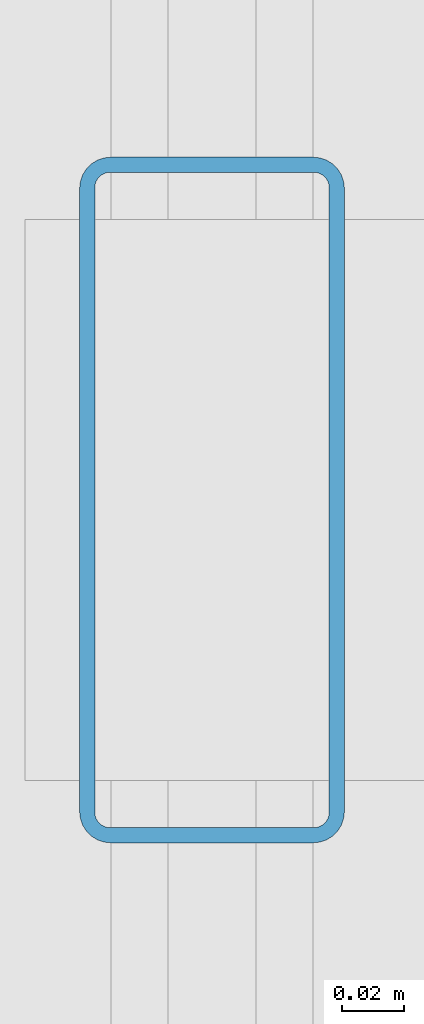
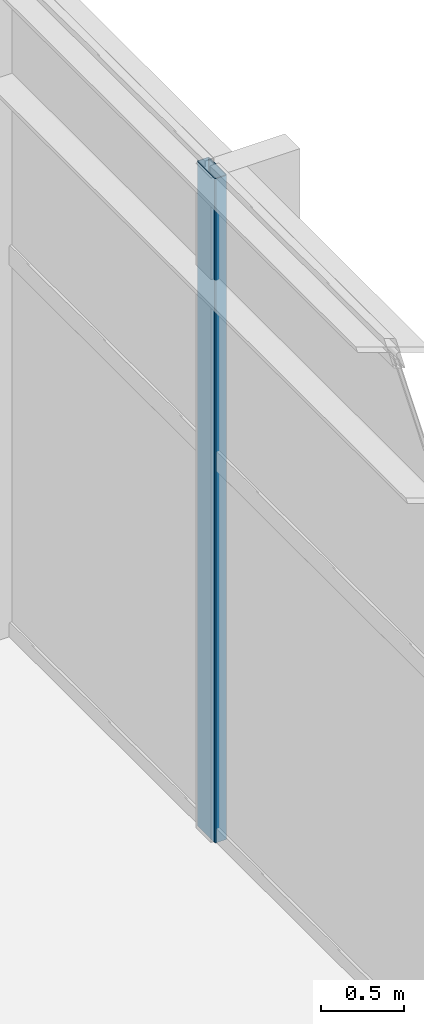
# One storey, part 11 of 31: 1 member, 1 element without a shape of its own.
"""IFC4 building model written with IfcOpenShell, lengths in metres."""

from ifc_helpers import new_model, si_unit, direction, frame, origin, origin_2d, place, context, subcontext, project, spatial, hollow_rectangle, extrude, material, layer, layer_set, material_profile, profile_set, type_object, element, aggregate, save


model = new_model("IFC4")

# Units and contexts
model_context = context("Model", 3, precision=1e-05, world=origin(), true_north=direction((0.0, 1.0)))
body_context = subcontext(model_context, "Body", "Model", "MODEL_VIEW")
ifc_project = project(units=[si_unit("LENGTHUNIT", "METRE"), si_unit("AREAUNIT", "SQUARE_METRE"), si_unit("VOLUMEUNIT", "CUBIC_METRE"), si_unit("PLANEANGLEUNIT", "RADIAN"), si_unit("MASSUNIT", "GRAM", prefix="KILO")], contexts=[model_context])

# Site, building, storey
site_placement = place(None, origin())
site = spatial("IfcSite", under=ifc_project, at=site_placement, CompositionType="ELEMENT")
building_placement = place(site_placement, origin())
building = spatial("IfcBuilding", under=site, at=building_placement, Name="Solvaryn Broadcast Tower", CompositionType="ELEMENT")
storey_placement = place(building_placement, frame((0.0, 0.0, 11.0)))
storey = spatial("IfcBuildingStorey", under=building, at=storey_placement, Name="L02", CompositionType="ELEMENT", Elevation=11.0)

# Curtain wall, member
ifc_material_1 = material(Name="Aluminium and Terracotta Unitised Curtain Wall", Category="masonry")
ifc_layer = layer(ifc_material_1, 0.219970703125)
ifc_layer_set = layer_set([ifc_layer], Name="CW-SYS1-PODIUM")
curtain_wall_type = type_object("IfcCurtainWallType", Name="CW-SYS1-PODIUM", PredefinedType="NOTDEFINED", material=ifc_layer_set)
curtain_wall_placement = place(storey_placement, origin())
curtain_wall = element("IfcCurtainWall", 1, at=curtain_wall_placement, inside=storey, type_object=curtain_wall_type, Name="L02 Podium Curtain Wall E2", PredefinedType="NOTDEFINED")
ifc_material_2 = material(Name="Anodised Aluminium 6063-T6", Category="aluminium")
ifc_material_profile = material_profile(ifc_material_2, hollow_rectangle(XDim=0.0849609375, YDim=0.219970703125, WallThickness=0.0048828125, InnerFilletRadius=0.0048828125, OuterFilletRadius=0.010009765625, at=origin_2d()))
ifc_profile_set = profile_set([ifc_material_profile], Name="Anodised Aluminium 6063-T6")
member_type = type_object("IfcMemberType", Name="CW-MUL-220", PredefinedType="MULLION", material=ifc_profile_set)
member_placement = place(storey_placement, frame((63.0, 15.35009765625, 0.0), z_axis=(0.0, 0.0, 1.0), x_axis=(1.0, 0.0, 0.0)))
member = element("IfcMember", 2, at=member_placement, type_object=member_type, Name="CWS1 mullion 2", PredefinedType="MULLION", context=body_context, shape_type="SweptSolid", body=[
    extrude(hollow_rectangle(XDim=0.0849609375, YDim=0.219970703125, WallThickness=0.0048828125, InnerFilletRadius=0.0048828125, OuterFilletRadius=0.010009765625, at=origin_2d()), origin(), (0.0, 0.0, 1.0), 4.8798828125),
])
aggregate(curtain_wall, [member])

save(model, "model.ifc")
